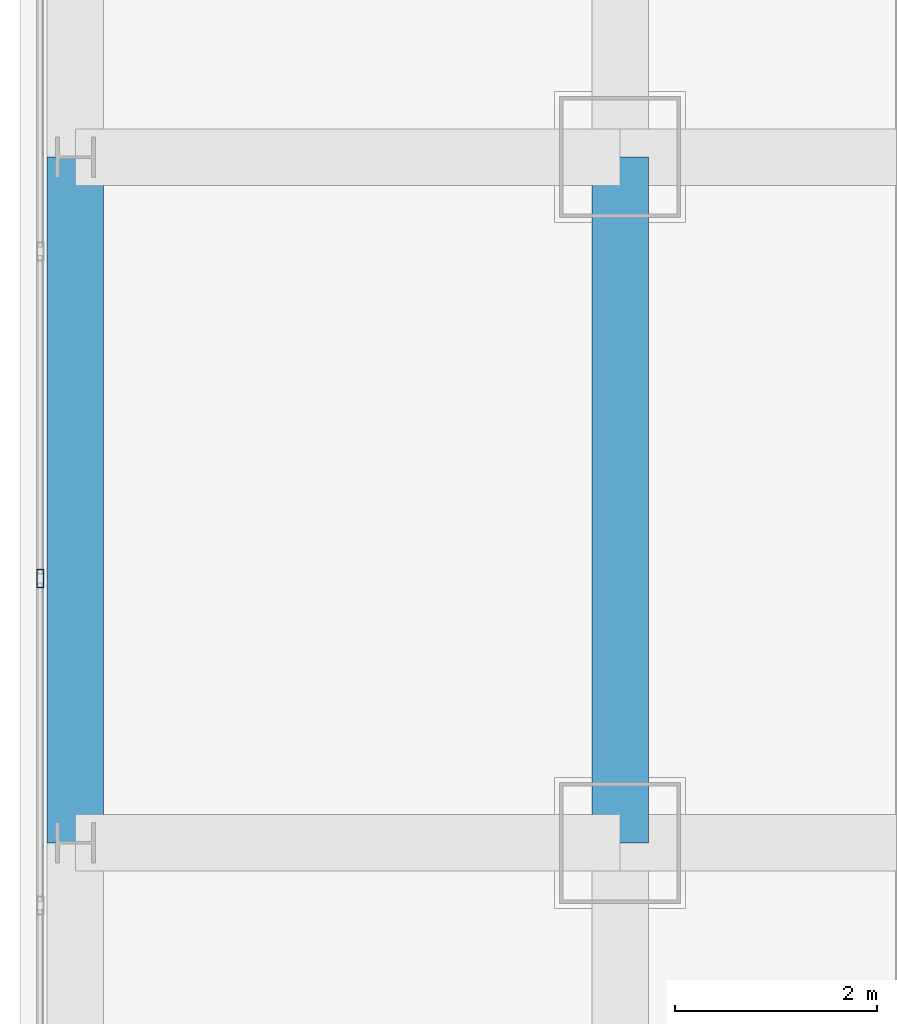
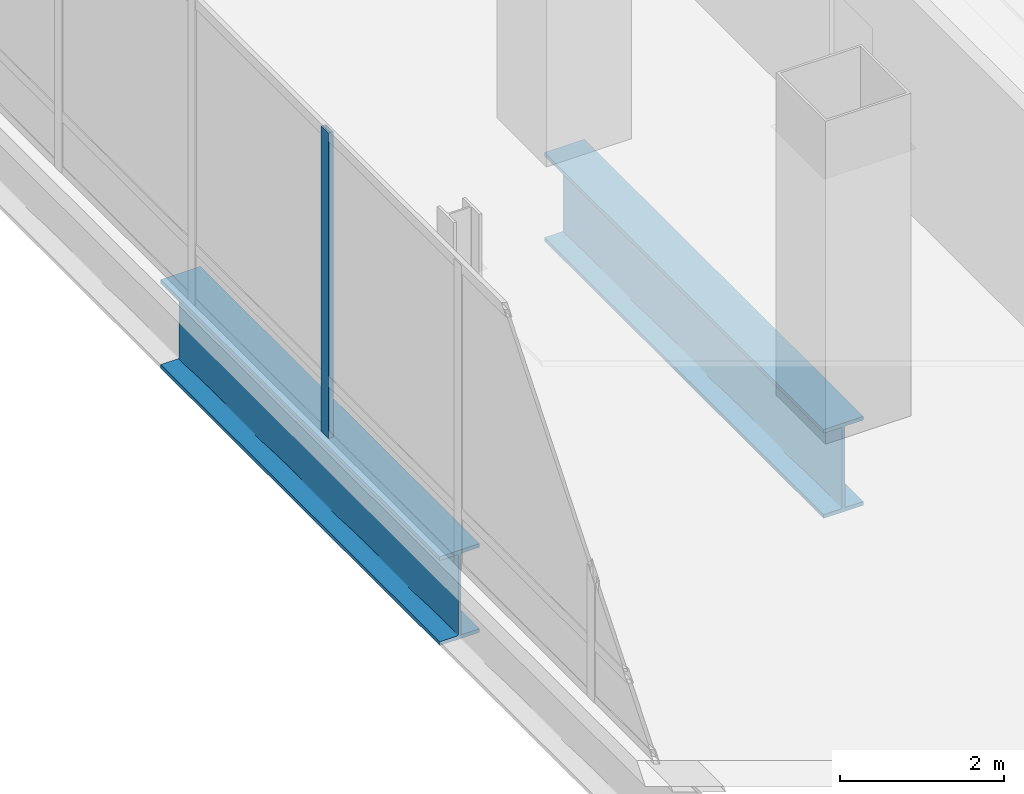
# One storey, part 12 of 44: 2 beams, 1 member, 1 element without a shape of its own.
"""IFC4 building model written with IfcOpenShell, lengths in metres."""

import ifcopenshell
import ifcopenshell.guid

model = None  # the IFC model being written
_history = None  # IfcOwnerHistory: only IFC2X3 demands one
_inside = {}  # id of a spatial element -> (the spatial element, [elements in it])
_under = {}  # id of a project, library or spatial element -> (it, [spatial elements below it])
_declared = {}  # id of a project -> (the project, [libraries it declares])
_typed = {}  # id of a type object -> (the type object, [elements of that type])
_made_of = {}  # id of a material, layer set ... -> (it, [elements and type objects made of it])


def new_model(schema):
    """Start an empty IFC model of exactly this schema.

    Asked for "IFC4X3", IfcOpenShell would pick the latest addendum, in which some entities
    have other attributes; the version numbers below select the first issue.
    IFC2X3 requires an IfcOwnerHistory on every rooted entity: one is made here for all.
    """
    global model, _history
    if schema == "IFC4X3":
        model = ifcopenshell.file(schema_version=(4, 3, 0, 0))
    else:
        model = ifcopenshell.file(schema=schema)
    _inside.clear()
    _under.clear()
    _declared.clear()
    _typed.clear()
    _made_of.clear()
    _history = None
    if model.schema == "IFC2X3":
        org = make("IfcOrganization", Name="unknown")
        user = make(
            "IfcPersonAndOrganization",
            ThePerson=make("IfcPerson", FamilyName="unknown"),
            TheOrganization=org,
        )
        app = make(
            "IfcApplication",
            ApplicationDeveloper=org,
            Version="unknown",
            ApplicationFullName="unknown",
            ApplicationIdentifier="unknown",
        )
        _history = make(
            "IfcOwnerHistory",
            OwningUser=user,
            OwningApplication=app,
            ChangeAction="ADDED",
            CreationDate=0,
        )
    return model


def make(cls, **values):
    """One entity of the class cls with the attributes given. An attribute that is None is left unset."""
    return model.create_entity(
        cls, **{name: value for name, value in values.items() if value is not None}
    )


def rooted(cls, **values):
    """An entity with a GlobalId (a new one), such as an element, a storey or a relation."""
    return make(cls, GlobalId=ifcopenshell.guid.new(), OwnerHistory=_history, **values)


def si_unit(unit_type, name, prefix=None):
    """IfcSIUnit, for example si_unit("LENGTHUNIT", "METRE", prefix="MILLI")."""
    return make("IfcSIUnit", UnitType=unit_type, Prefix=prefix, Name=name)


def assignment(units):
    """IfcUnitAssignment: the units of a project."""
    return None if units is None else make("IfcUnitAssignment", Units=units)


def point(xyz):
    """IfcCartesianPoint."""
    return None if xyz is None else make("IfcCartesianPoint", Coordinates=xyz)


def direction(xyz):
    """IfcDirection."""
    return None if xyz is None else make("IfcDirection", DirectionRatios=xyz)


def frame(location, z_axis=None, x_axis=None):
    """IfcAxis2Placement3D, a coordinate frame: its origin and axes. An axis left out is left unset."""
    return make(
        "IfcAxis2Placement3D",
        Location=point(location),
        Axis=direction(z_axis),
        RefDirection=direction(x_axis),
    )


def frame_2d(location, x_axis=None):
    """IfcAxis2Placement2D, a coordinate frame in the plane: its origin and x axis."""
    return make(
        "IfcAxis2Placement2D", Location=point(location), RefDirection=direction(x_axis)
    )


def origin():
    """The frame at (0, 0, 0) with its axes left unset."""
    return frame((0.0, 0.0, 0.0))


def origin_2d():
    """The frame at (0, 0) in the plane with its x axis left unset."""
    return frame_2d((0.0, 0.0))


def place(relative_to, where):
    """IfcLocalPlacement: puts the frame where relative to a parent placement (None: the world)."""
    return make(
        "IfcLocalPlacement", PlacementRelTo=relative_to, RelativePlacement=where
    )


def context(
    kind, dimensions, precision=None, world=None, true_north=None, identifier=None
):
    """IfcGeometricRepresentationContext, for example the 3D "Model" context."""
    return make(
        "IfcGeometricRepresentationContext",
        ContextIdentifier=identifier,
        ContextType=kind,
        CoordinateSpaceDimension=dimensions,
        Precision=precision,
        WorldCoordinateSystem=world,
        TrueNorth=true_north,
    )


def subcontext(parent, identifier, kind, view, scale=None):
    """IfcGeometricRepresentationSubContext, for example "Body" below "Model"."""
    return make(
        "IfcGeometricRepresentationSubContext",
        ContextIdentifier=identifier,
        ContextType=kind,
        ParentContext=parent,
        TargetScale=scale,
        TargetView=view,
    )


def project(units=None, contexts=None):
    """IfcProject with its units and contexts."""
    return rooted(
        "IfcProject",
        Name="project",
        RepresentationContexts=contexts,
        UnitsInContext=assignment(units),
    )


def spatial(cls, under=None, at=None, **own):
    """A site, building, storey or space (cls), placed at a placement, below another one or the project."""
    s = rooted(cls, ObjectPlacement=at, **own)
    if under is not None:
        _under.setdefault(under.id(), (under, []))[1].append(s)
    return s


def profile(cls, at=None, kind="AREA", **sizes):
    """A parametric profile (cls). Its sizes go by their IFC names, for example OverallWidth=200.0."""
    return make(cls, ProfileType=kind, Position=at, **sizes)


def hollow_rectangle(**sizes):
    """IfcRectangleHollowProfileDef."""
    return profile("IfcRectangleHollowProfileDef", **sizes)


def i_section(**sizes):
    """IfcIShapeProfileDef."""
    return profile("IfcIShapeProfileDef", **sizes)


def extrude(swept, where, along, depth):
    """IfcExtrudedAreaSolid: the profile swept, set in the frame where, extruded along a direction by depth."""
    return make(
        "IfcExtrudedAreaSolid",
        SweptArea=swept,
        Position=where,
        ExtrudedDirection=direction(along),
        Depth=depth,
    )


def shape(context_of_items, identifier, shape_type, items):
    """IfcShapeRepresentation: the items that make up one representation, for example the "Body"."""
    return make(
        "IfcShapeRepresentation",
        ContextOfItems=context_of_items,
        RepresentationIdentifier=identifier,
        RepresentationType=shape_type,
        Items=items,
    )


def material(Name=None, Category=None):
    """IfcMaterial."""
    return make("IfcMaterial", Name=Name, Category=Category)


def material_profile(
    of_material, cross_section, Name=None, Category=None, Priority=None
):
    """IfcMaterialProfile: a cross section and its material."""
    return make(
        "IfcMaterialProfile",
        Name=Name,
        Material=of_material,
        Profile=cross_section,
        Priority=Priority,
        Category=Category,
    )


def profile_set(profiles, Name=None, composite=None):
    """IfcMaterialProfileSet."""
    return make(
        "IfcMaterialProfileSet",
        Name=Name,
        MaterialProfiles=profiles,
        CompositeProfile=composite,
    )


def made_of(thing, what):
    """Note that an element or type object is made of a material, layer set ...; save() writes the relation."""
    if what is not None:
        _made_of.setdefault(what.id(), (what, []))[1].append(thing)
    return thing


def type_object(cls, material=None, **own):
    """A type object (cls), such as IfcWallType, which elements share."""
    return made_of(rooted(cls, **own), material)


def element(
    cls,
    number,
    at=None,
    inside=None,
    cuts=None,
    type_object=None,
    material=None,
    context=None,
    identifier="Body",
    shape_type=None,
    held_by="IfcProductDefinitionShape",
    body=None,
    shapes=None,
    **own,
):
    """One element of the class cls, such as IfcWall. Its Tag is "e" and its number.

    at: its placement. inside: the storey or other place that contains it. cuts: it is an
    opening in that element (IfcRelVoidsElement). A single representation is given by context,
    identifier, shape_type and body (its items); several are given by shapes. held_by: the class
    of the entity that holds the representations. save() writes the other relations.
    """
    e = rooted(cls, Tag="e%d" % number, ObjectPlacement=at, **own)
    if body is not None:
        shapes = [shape(context, identifier, shape_type, body)]
    if shapes is not None:
        e.Representation = make(held_by, Representations=shapes)
    if inside is not None:
        _inside.setdefault(inside.id(), (inside, []))[1].append(e)
    if cuts is not None:
        rooted(
            "IfcRelVoidsElement", RelatingBuildingElement=cuts, RelatedOpeningElement=e
        )
    if type_object is not None:
        _typed.setdefault(type_object.id(), (type_object, []))[1].append(e)
    return made_of(e, material)


def aggregate(whole, parts):
    """IfcRelAggregates: a whole, such as a stair, and the parts it consists of."""
    return rooted("IfcRelAggregates", RelatingObject=whole, RelatedObjects=parts)


def save(model, path):
    """Write the relations noted so far, then the file.

    IfcRelAggregates (storeys below a building ...), IfcRelContainedInSpatialStructure (elements
    in a storey), IfcRelDefinesByType, IfcRelAssociatesMaterial and IfcRelDeclares: one each for
    every whole, place, type object, material and project.
    """
    for whole, parts in _under.values():
        aggregate(whole, parts)
    for where, things in _inside.values():
        rooted(
            "IfcRelContainedInSpatialStructure",
            RelatedElements=things,
            RelatingStructure=where,
        )
    for kind, things in _typed.values():
        rooted("IfcRelDefinesByType", RelatedObjects=things, RelatingType=kind)
    for what, things in _made_of.values():
        rooted("IfcRelAssociatesMaterial", RelatedObjects=things, RelatingMaterial=what)
    for by, libraries in _declared.values():
        rooted("IfcRelDeclares", RelatingContext=by, RelatedDefinitions=libraries)
    model.write(path)


model = new_model("IFC4")

# Units and contexts
model_context = context("Model", 3, precision=1e-05, world=origin(), true_north=direction((0.0, 1.0)))
body_context = subcontext(model_context, "Body", "Model", "MODEL_VIEW")
ifc_project = project(units=[si_unit("LENGTHUNIT", "METRE"), si_unit("AREAUNIT", "SQUARE_METRE"), si_unit("VOLUMEUNIT", "CUBIC_METRE"), si_unit("PLANEANGLEUNIT", "RADIAN"), si_unit("MASSUNIT", "GRAM", prefix="KILO")], contexts=[model_context])

# Site, building, storey
site_placement = place(None, origin())
site = spatial("IfcSite", under=ifc_project, at=site_placement, CompositionType="ELEMENT")
building_placement = place(site_placement, origin())
building = spatial("IfcBuilding", under=site, at=building_placement, Name="Punatoya Terracotta Tower", CompositionType="ELEMENT")
storey_placement = place(building_placement, frame((0.0, 0.0, 334.199951171875)))
storey = spatial("IfcBuildingStorey", under=building, at=storey_placement, Name="L79", CompositionType="ELEMENT", Elevation=334.199951171875)

# Beams
ifc_material_1 = material(Name="Steel S460", Category="steel")
ifc_material_profile_1 = material_profile(ifc_material_1, i_section(OverallWidth=0.56005859375, OverallDepth=1.320068359375, WebThickness=0.035888671875, FlangeThickness=0.054931640625, FilletRadius=0.01806640625, at=origin_2d()))
ifc_profile_set_1 = profile_set([ifc_material_profile_1], Name="Steel S460")
beam_type = type_object("IfcBeamType", Name="BM-TG-BLK", PredefinedType="BEAM", material=ifc_profile_set_1)
for number, where, z_axis, x_axis, name in (
    (1, (-19.10009765625, -3.39990234375, -0.919921875), (0.0, 1.0, 0.0), (-1.0, 0.0, 0.0), "BM-L79-RG-W2"),
    (2, (-24.5, -3.39990234375, -0.919921875), (0.0, 1.0, 0.0), (-1.0, 0.0, 0.0), "BM-L79-PER-W2"),
):
    element("IfcBeam", number, at=place(storey_placement, frame(where, z_axis=z_axis, x_axis=x_axis)), inside=storey, type_object=beam_type, Name=name, PredefinedType="BEAM", context=body_context, shape_type="SweptSolid", body=[
        extrude(i_section(OverallWidth=0.56005859375, OverallDepth=1.320068359375, WebThickness=0.035888671875, FlangeThickness=0.054931640625, FilletRadius=0.01806640625, at=origin_2d()), origin(), (0.0, 0.0, 1.0), 6.7998046875),
    ])

# Curtain wall, member
ifc_material_2 = material(Name="Aluminium 6063-T6 + Double Low-E Glass", Category="aluminium")
curtain_wall_type = type_object("IfcCurtainWallType", Name="CW-OBS", PredefinedType="NOTDEFINED", material=ifc_material_2)
curtain_wall_placement = place(storey_placement, origin())
curtain_wall = element("IfcCurtainWall", 3, at=curtain_wall_placement, inside=storey, type_object=curtain_wall_type, Name="L79 Curtain Wall CW-L79-W18-1", PredefinedType="NOTDEFINED")
ifc_material_3 = material(Name="Aluminium 6063-T6", Category="aluminium")
ifc_material_profile_2 = material_profile(ifc_material_3, hollow_rectangle(XDim=0.070068359375, YDim=0.179931640625, WallThickness=0.00390625, at=origin_2d()))
ifc_profile_set_2 = profile_set([ifc_material_profile_2], Name="Aluminium 6063-T6")
member_type = type_object("IfcMemberType", Name="CW-MUL-M3", PredefinedType="MULLION", material=ifc_profile_set_2)
member_placement = place(storey_placement, frame((-24.85009765625, -0.778564453125, 0.0), z_axis=(0.0, 0.0, 1.0), x_axis=(1.0, 0.0, 0.0)))
member = element("IfcMember", 4, at=member_placement, type_object=member_type, Name="CW-L79-W18-1 Mullion 05", PredefinedType="MULLION", context=body_context, shape_type="SweptSolid", body=[
    extrude(hollow_rectangle(XDim=0.070068359375, YDim=0.179931640625, WallThickness=0.00390625, at=origin_2d()), origin(), (0.0, 0.0, 1.0), 4.5400390625),
])
aggregate(curtain_wall, [member])

save(model, "model.ifc")
